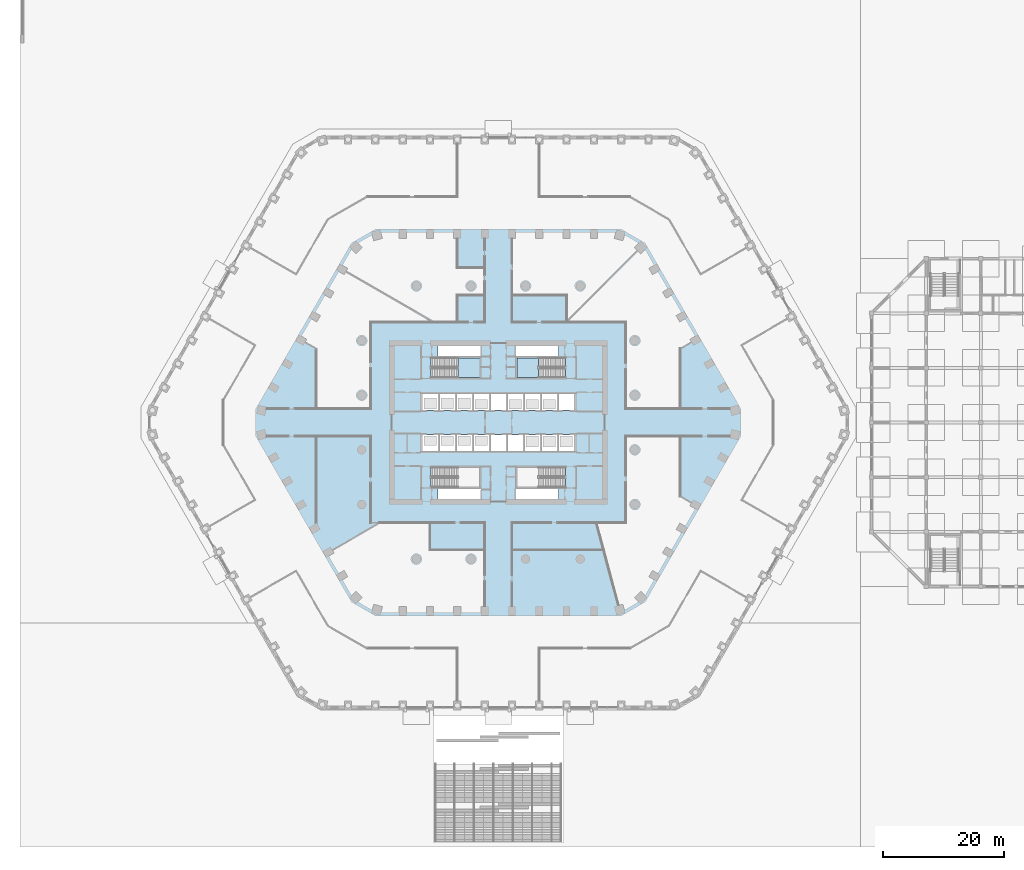
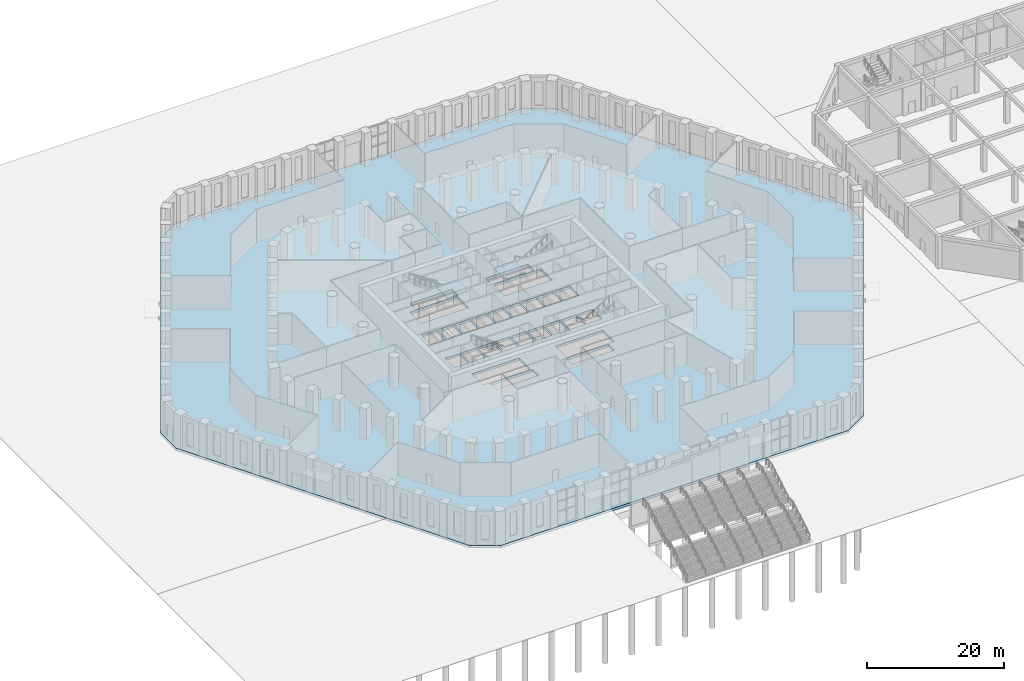
# One storey, part 11 of 44: 3 slabs, 2 elements without a shape of their own.
"""IFC4 building model written with IfcOpenShell, lengths in metres."""

import ifcopenshell
import ifcopenshell.guid

model = None  # the IFC model being written
_history = None  # IfcOwnerHistory: only IFC2X3 demands one
_inside = {}  # id of a spatial element -> (the spatial element, [elements in it])
_under = {}  # id of a project, library or spatial element -> (it, [spatial elements below it])
_declared = {}  # id of a project -> (the project, [libraries it declares])
_typed = {}  # id of a type object -> (the type object, [elements of that type])
_made_of = {}  # id of a material, layer set ... -> (it, [elements and type objects made of it])


def new_model(schema):
    """Start an empty IFC model of exactly this schema.

    Asked for "IFC4X3", IfcOpenShell would pick the latest addendum, in which some entities
    have other attributes; the version numbers below select the first issue.
    IFC2X3 requires an IfcOwnerHistory on every rooted entity: one is made here for all.
    """
    global model, _history
    if schema == "IFC4X3":
        model = ifcopenshell.file(schema_version=(4, 3, 0, 0))
    else:
        model = ifcopenshell.file(schema=schema)
    _inside.clear()
    _under.clear()
    _declared.clear()
    _typed.clear()
    _made_of.clear()
    _history = None
    if model.schema == "IFC2X3":
        org = make("IfcOrganization", Name="unknown")
        user = make(
            "IfcPersonAndOrganization",
            ThePerson=make("IfcPerson", FamilyName="unknown"),
            TheOrganization=org,
        )
        app = make(
            "IfcApplication",
            ApplicationDeveloper=org,
            Version="unknown",
            ApplicationFullName="unknown",
            ApplicationIdentifier="unknown",
        )
        _history = make(
            "IfcOwnerHistory",
            OwningUser=user,
            OwningApplication=app,
            ChangeAction="ADDED",
            CreationDate=0,
        )
    return model


def make(cls, **values):
    """One entity of the class cls with the attributes given. An attribute that is None is left unset."""
    return model.create_entity(
        cls, **{name: value for name, value in values.items() if value is not None}
    )


def rooted(cls, **values):
    """An entity with a GlobalId (a new one), such as an element, a storey or a relation."""
    return make(cls, GlobalId=ifcopenshell.guid.new(), OwnerHistory=_history, **values)


def si_unit(unit_type, name, prefix=None):
    """IfcSIUnit, for example si_unit("LENGTHUNIT", "METRE", prefix="MILLI")."""
    return make("IfcSIUnit", UnitType=unit_type, Prefix=prefix, Name=name)


def assignment(units):
    """IfcUnitAssignment: the units of a project."""
    return None if units is None else make("IfcUnitAssignment", Units=units)


def point(xyz):
    """IfcCartesianPoint."""
    return None if xyz is None else make("IfcCartesianPoint", Coordinates=xyz)


def direction(xyz):
    """IfcDirection."""
    return None if xyz is None else make("IfcDirection", DirectionRatios=xyz)


def frame(location, z_axis=None, x_axis=None):
    """IfcAxis2Placement3D, a coordinate frame: its origin and axes. An axis left out is left unset."""
    return make(
        "IfcAxis2Placement3D",
        Location=point(location),
        Axis=direction(z_axis),
        RefDirection=direction(x_axis),
    )


def origin():
    """The frame at (0, 0, 0) with its axes left unset."""
    return frame((0.0, 0.0, 0.0))


def place(relative_to, where):
    """IfcLocalPlacement: puts the frame where relative to a parent placement (None: the world)."""
    return make(
        "IfcLocalPlacement", PlacementRelTo=relative_to, RelativePlacement=where
    )


def context(
    kind, dimensions, precision=None, world=None, true_north=None, identifier=None
):
    """IfcGeometricRepresentationContext, for example the 3D "Model" context."""
    return make(
        "IfcGeometricRepresentationContext",
        ContextIdentifier=identifier,
        ContextType=kind,
        CoordinateSpaceDimension=dimensions,
        Precision=precision,
        WorldCoordinateSystem=world,
        TrueNorth=true_north,
    )


def subcontext(parent, identifier, kind, view, scale=None):
    """IfcGeometricRepresentationSubContext, for example "Body" below "Model"."""
    return make(
        "IfcGeometricRepresentationSubContext",
        ContextIdentifier=identifier,
        ContextType=kind,
        ParentContext=parent,
        TargetScale=scale,
        TargetView=view,
    )


def project(units=None, contexts=None):
    """IfcProject with its units and contexts."""
    return rooted(
        "IfcProject",
        Name="project",
        RepresentationContexts=contexts,
        UnitsInContext=assignment(units),
    )


def spatial(cls, under=None, at=None, **own):
    """A site, building, storey or space (cls), placed at a placement, below another one or the project."""
    s = rooted(cls, ObjectPlacement=at, **own)
    if under is not None:
        _under.setdefault(under.id(), (under, []))[1].append(s)
    return s


def polyline(points):
    """IfcPolyline through the points."""
    return make("IfcPolyline", Points=[point(p) for p in points])


def outline(outer, holes=None, kind="AREA"):
    """IfcArbitraryClosedProfileDef: a profile drawn as a closed curve; with holes, ...WithVoids."""
    if holes is None:
        return make("IfcArbitraryClosedProfileDef", ProfileType=kind, OuterCurve=outer)
    return make(
        "IfcArbitraryProfileDefWithVoids",
        ProfileType=kind,
        OuterCurve=outer,
        InnerCurves=holes,
    )


def extrude(swept, where, along, depth):
    """IfcExtrudedAreaSolid: the profile swept, set in the frame where, extruded along a direction by depth."""
    return make(
        "IfcExtrudedAreaSolid",
        SweptArea=swept,
        Position=where,
        ExtrudedDirection=direction(along),
        Depth=depth,
    )


def shape(context_of_items, identifier, shape_type, items):
    """IfcShapeRepresentation: the items that make up one representation, for example the "Body"."""
    return make(
        "IfcShapeRepresentation",
        ContextOfItems=context_of_items,
        RepresentationIdentifier=identifier,
        RepresentationType=shape_type,
        Items=items,
    )


def material(Name=None, Category=None):
    """IfcMaterial."""
    return make("IfcMaterial", Name=Name, Category=Category)


def layer(
    of_material, thickness, ventilated=None, Name=None, Category=None, Priority=None
):
    """IfcMaterialLayer: one layer of a wall or slab, of a material (None: an air gap)."""
    return make(
        "IfcMaterialLayer",
        Material=of_material,
        LayerThickness=thickness,
        IsVentilated=ventilated,
        Name=Name,
        Category=Category,
        Priority=Priority,
    )


def layer_set(layers, Name=None):
    """IfcMaterialLayerSet."""
    return make("IfcMaterialLayerSet", MaterialLayers=layers, LayerSetName=Name)


def made_of(thing, what):
    """Note that an element or type object is made of a material, layer set ...; save() writes the relation."""
    if what is not None:
        _made_of.setdefault(what.id(), (what, []))[1].append(thing)
    return thing


def type_object(cls, material=None, **own):
    """A type object (cls), such as IfcWallType, which elements share."""
    return made_of(rooted(cls, **own), material)


def element(
    cls,
    number,
    at=None,
    inside=None,
    cuts=None,
    type_object=None,
    material=None,
    context=None,
    identifier="Body",
    shape_type=None,
    held_by="IfcProductDefinitionShape",
    body=None,
    shapes=None,
    **own,
):
    """One element of the class cls, such as IfcWall. Its Tag is "e" and its number.

    at: its placement. inside: the storey or other place that contains it. cuts: it is an
    opening in that element (IfcRelVoidsElement). A single representation is given by context,
    identifier, shape_type and body (its items); several are given by shapes. held_by: the class
    of the entity that holds the representations. save() writes the other relations.
    """
    e = rooted(cls, Tag="e%d" % number, ObjectPlacement=at, **own)
    if body is not None:
        shapes = [shape(context, identifier, shape_type, body)]
    if shapes is not None:
        e.Representation = make(held_by, Representations=shapes)
    if inside is not None:
        _inside.setdefault(inside.id(), (inside, []))[1].append(e)
    if cuts is not None:
        rooted(
            "IfcRelVoidsElement", RelatingBuildingElement=cuts, RelatedOpeningElement=e
        )
    if type_object is not None:
        _typed.setdefault(type_object.id(), (type_object, []))[1].append(e)
    return made_of(e, material)


def aggregate(whole, parts):
    """IfcRelAggregates: a whole, such as a stair, and the parts it consists of."""
    return rooted("IfcRelAggregates", RelatingObject=whole, RelatedObjects=parts)


def save(model, path):
    """Write the relations noted so far, then the file.

    IfcRelAggregates (storeys below a building ...), IfcRelContainedInSpatialStructure (elements
    in a storey), IfcRelDefinesByType, IfcRelAssociatesMaterial and IfcRelDeclares: one each for
    every whole, place, type object, material and project.
    """
    for whole, parts in _under.values():
        aggregate(whole, parts)
    for where, things in _inside.values():
        rooted(
            "IfcRelContainedInSpatialStructure",
            RelatedElements=things,
            RelatingStructure=where,
        )
    for kind, things in _typed.values():
        rooted("IfcRelDefinesByType", RelatedObjects=things, RelatingType=kind)
    for what, things in _made_of.values():
        rooted("IfcRelAssociatesMaterial", RelatedObjects=things, RelatingMaterial=what)
    for by, libraries in _declared.values():
        rooted("IfcRelDeclares", RelatingContext=by, RelatedDefinitions=libraries)
    model.write(path)


model = new_model("IFC4")

# Units and contexts
model_context = context("Model", 3, precision=1e-05, world=origin(), true_north=direction((0.0, 1.0)))
body_context = subcontext(model_context, "Body", "Model", "MODEL_VIEW")
ifc_project = project(units=[si_unit("LENGTHUNIT", "METRE"), si_unit("AREAUNIT", "SQUARE_METRE"), si_unit("VOLUMEUNIT", "CUBIC_METRE"), si_unit("PLANEANGLEUNIT", "RADIAN"), si_unit("MASSUNIT", "GRAM", prefix="KILO")], contexts=[model_context])

# Site, building, storey
site_placement = place(None, origin())
site = spatial("IfcSite", under=ifc_project, at=site_placement, CompositionType="ELEMENT")
building_placement = place(site_placement, origin())
building = spatial("IfcBuilding", under=site, at=building_placement, Name="Dhurran Vertical Campus", CompositionType="ELEMENT")
storey_placement = place(building_placement, origin())
storey = spatial("IfcBuildingStorey", under=building, at=storey_placement, Name="L00", CompositionType="ELEMENT", Elevation=0.0)

# Slab
ifc_material_1 = material(Name="Concrete C40/50", Category="concrete")
ifc_layer_1 = layer(ifc_material_1, 0.449951171875)
ifc_layer_set_1 = layer_set([ifc_layer_1], Name="Concrete C40/50")
slab_type_1 = type_object("IfcSlabType", Name="FR POST-TENSIONED FLAT SLAB 450", PredefinedType="FLOOR", material=ifc_layer_set_1)
slab_1_placement = place(storey_placement, frame((0.0, 0.0, -0.449951171875)))
element("IfcSlab", 1, at=slab_1_placement, inside=storey, type_object=slab_type_1, Name="Floor slab L00", PredefinedType="FLOOR", context=body_context, shape_type="SweptSolid", body=[
    extrude(outline(polyline([(-29.25, -47.368408203125), (29.25, -47.368408203125), (33.147216796875, -45.118408203125), (57.897216796875, -2.25), (57.897216796875, 2.25), (33.147216796875, 45.118408203125), (29.25, 47.368408203125), (-29.25, 47.368408203125), (-33.147216796875, 45.118408203125), (-57.897216796875, 2.25), (-57.897216796875, -2.25), (-33.147216796875, -45.118408203125), (-29.25, -47.368408203125)]), holes=[polyline([(-12.47509765625, 2.050048828125), (-9.925048828125, 2.050048828125), (-9.925048828125, 4.75), (-12.47509765625, 4.75), (-12.47509765625, 2.050048828125)]), polyline([(-9.675048828125, 2.050048828125), (-7.125, 2.050048828125), (-7.125, 4.75), (-9.675048828125, 4.75), (-9.675048828125, 2.050048828125)]), polyline([(-6.875, 2.050048828125), (-4.324951171875, 2.050048828125), (-4.324951171875, 4.75), (-6.875, 4.75), (-6.875, 2.050048828125)]), polyline([(-1.27490234375, 2.050048828125), (1.27490234375, 2.050048828125), (1.27490234375, 4.75), (-1.27490234375, 4.75), (-1.27490234375, 2.050048828125)]), polyline([(9.925048828125, 2.050048828125), (12.47509765625, 2.050048828125), (12.47509765625, 4.75), (9.925048828125, 4.75), (9.925048828125, 2.050048828125)]), polyline([(-1.27490234375, -4.75), (1.27490234375, -4.75), (1.27490234375, -2.050048828125), (-1.27490234375, -2.050048828125), (-1.27490234375, -4.75)]), polyline([(1.52490234375, -4.75), (4.074951171875, -4.75), (4.074951171875, -2.050048828125), (1.52490234375, -2.050048828125), (1.52490234375, -4.75)]), polyline([(4.324951171875, -4.75), (6.875, -4.75), (6.875, -2.050048828125), (4.324951171875, -2.050048828125), (4.324951171875, -4.75)]), polyline([(7.125, -4.75), (9.675048828125, -4.75), (9.675048828125, -2.050048828125), (7.125, -2.050048828125), (7.125, -4.75)]), polyline([(9.925048828125, -4.75), (12.47509765625, -4.75), (12.47509765625, -2.050048828125), (9.925048828125, -2.050048828125), (9.925048828125, -4.75)]), polyline([(-4.074951171875, 2.050048828125), (-1.52490234375, 2.050048828125), (-1.52490234375, 4.75), (-4.074951171875, 4.75), (-4.074951171875, 2.050048828125)]), polyline([(1.52490234375, 2.050048828125), (4.074951171875, 2.050048828125), (4.074951171875, 4.75), (1.52490234375, 4.75), (1.52490234375, 2.050048828125)]), polyline([(4.324951171875, 2.050048828125), (6.875, 2.050048828125), (6.875, 4.75), (4.324951171875, 4.75), (4.324951171875, 2.050048828125)]), polyline([(7.125, 2.050048828125), (9.675048828125, 2.050048828125), (9.675048828125, 4.75), (7.125, 4.75), (7.125, 2.050048828125)]), polyline([(-12.47509765625, -4.75), (-9.925048828125, -4.75), (-9.925048828125, -2.050048828125), (-12.47509765625, -2.050048828125), (-12.47509765625, -4.75)]), polyline([(-9.675048828125, -4.75), (-7.125, -4.75), (-7.125, -2.050048828125), (-9.675048828125, -2.050048828125), (-9.675048828125, -4.75)]), polyline([(-6.875, -4.75), (-4.324951171875, -4.75), (-4.324951171875, -2.050048828125), (-6.875, -2.050048828125), (-6.875, -4.75)]), polyline([(-4.074951171875, -4.75), (-1.52490234375, -4.75), (-1.52490234375, -2.050048828125), (-4.074951171875, -2.050048828125), (-4.074951171875, -4.75)]), polyline([(-11.050048828125, 7.39990234375), (-3.050048828125, 7.39990234375), (-3.050048828125, 10.64990234375), (-11.050048828125, 10.64990234375), (-11.050048828125, 7.39990234375)]), polyline([(3.050048828125, 7.39990234375), (11.050048828125, 7.39990234375), (11.050048828125, 10.64990234375), (3.050048828125, 10.64990234375), (3.050048828125, 7.39990234375)]), polyline([(-11.050048828125, -10.64990234375), (-3.050048828125, -10.64990234375), (-3.050048828125, -7.39990234375), (-11.050048828125, -7.39990234375), (-11.050048828125, -10.64990234375)]), polyline([(3.050048828125, -10.64990234375), (11.050048828125, -10.64990234375), (11.050048828125, -7.39990234375), (3.050048828125, -7.39990234375), (3.050048828125, -10.64990234375)]), polyline([(-9.949951171875, 10.89990234375), (-9.949951171875, 12.60009765625), (-2.800048828125, 12.60009765625), (-2.800048828125, 10.89990234375), (-9.949951171875, 10.89990234375)]), polyline([(9.949951171875, 12.60009765625), (9.949951171875, 10.89990234375), (2.800048828125, 10.89990234375), (2.800048828125, 12.60009765625), (9.949951171875, 12.60009765625)]), polyline([(-9.949951171875, -12.60009765625), (-9.949951171875, -10.89990234375), (-2.800048828125, -10.89990234375), (-2.800048828125, -12.60009765625), (-9.949951171875, -12.60009765625)]), polyline([(9.949951171875, -10.89990234375), (9.949951171875, -12.60009765625), (2.800048828125, -12.60009765625), (2.800048828125, -10.89990234375), (9.949951171875, -10.89990234375)])]), origin(), (0.0, 0.0, 1.0), 0.449951171875),
])

# Stair, slab
ifc_material_2 = material(Name="Concrete C40/50", Category="concrete")
stair_type = type_object("IfcStairType", Name="co-ST-CORE", PredefinedType="HALF_TURN_STAIR", material=ifc_material_2)
stair_1_placement = place(storey_placement, origin())
stair_1 = element("IfcStair", 2, at=stair_1_placement, inside=storey, type_object=stair_type, Name="L00 Protected exit stair ST1", PredefinedType="HALF_TURN_STAIR")
ifc_material_3 = material(Name="Concrete C40/50", Category="concrete")
ifc_layer_2 = layer(ifc_material_3, 0.199951171875)
ifc_layer_set_2 = layer_set([ifc_layer_2], Name="Concrete C40/50")
slab_type_2 = type_object("IfcSlabType", Name="co-SL-LANDING", PredefinedType="LANDING", material=ifc_layer_set_2)
slab_2_placement = place(storey_placement, frame((0.0, 0.0, 2.800048828125)))
slab_2 = element("IfcSlab", 3, at=slab_2_placement, type_object=slab_type_2, Name="ST1 landing 1", PredefinedType="LANDING", context=body_context, shape_type="SweptSolid", body=[
    extrude(outline(polyline([(-6.6201171875, 7.39990234375), (-3.050048828125, 7.39990234375), (-3.050048828125, 10.64990234375), (-6.6201171875, 10.64990234375), (-6.6201171875, 7.39990234375)])), origin(), (0.0, 0.0, 1.0), 0.199951171875),
])
aggregate(stair_1, [slab_2])

stair_2_placement = place(storey_placement, origin())
stair_2 = element("IfcStair", 4, at=stair_2_placement, inside=storey, type_object=stair_type, Name="L00 Protected exit stair ST2", PredefinedType="HALF_TURN_STAIR")
slab_3_placement = place(storey_placement, frame((0.0, 0.0, 2.800048828125)))
slab_3 = element("IfcSlab", 5, at=slab_3_placement, type_object=slab_type_2, Name="ST2 landing 1", PredefinedType="LANDING", context=body_context, shape_type="SweptSolid", body=[
    extrude(outline(polyline([(6.6201171875, 10.64990234375), (3.050048828125, 10.64990234375), (3.050048828125, 7.39990234375), (6.6201171875, 7.39990234375), (6.6201171875, 10.64990234375)])), origin(), (0.0, 0.0, 1.0), 0.199951171875),
])
aggregate(stair_2, [slab_3])

save(model, "model.ifc")
